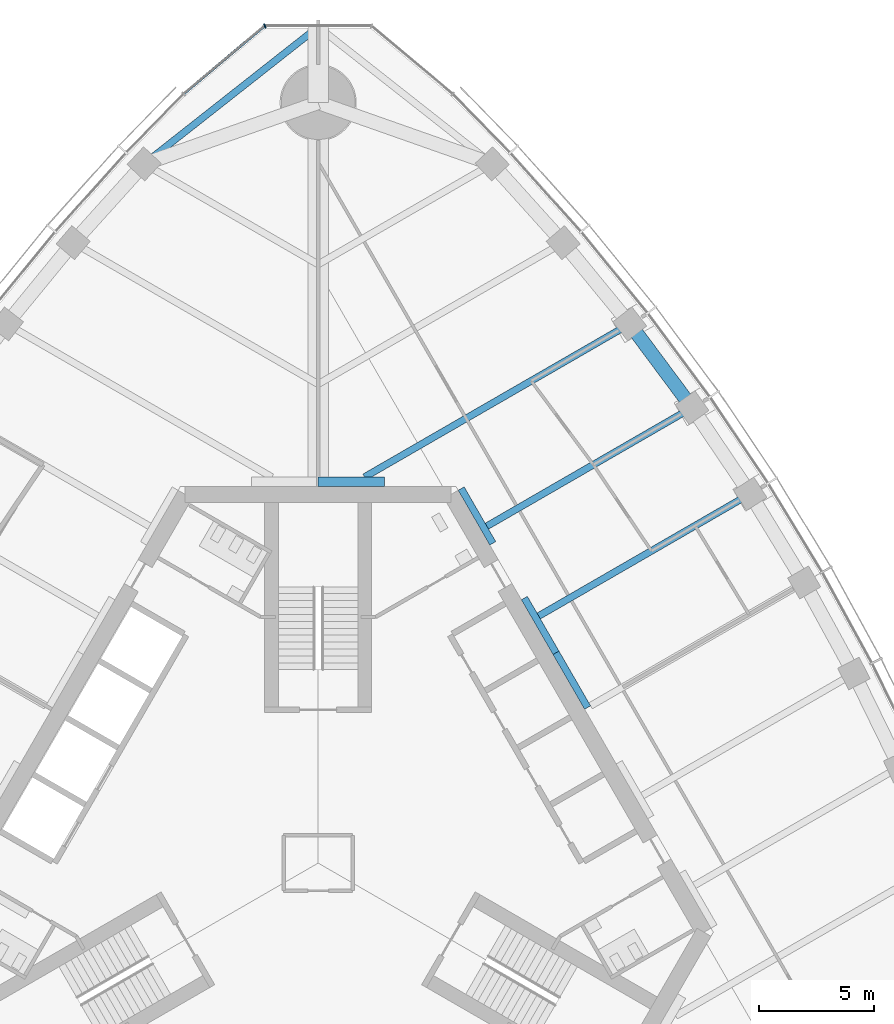
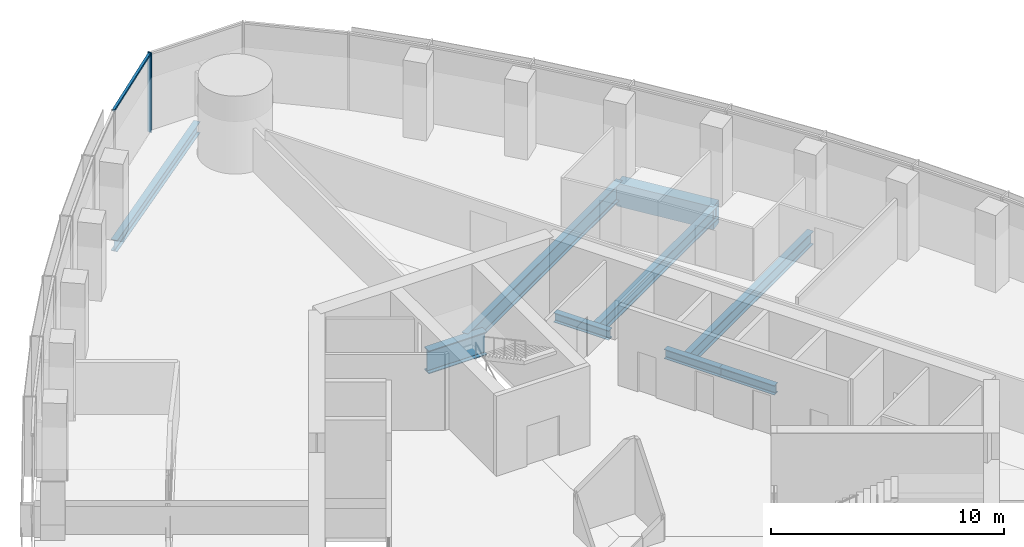
# One storey, part 6 of 19: 9 beams, 2 members, 1 element without a shape of its own.
"""IFC4 building model written with IfcOpenShell, lengths in metres."""

from ifc_helpers import new_model, si_unit, direction, frame, origin, origin_2d, place, context, subcontext, project, spatial, rectangle, i_section, extrude, material, material_profile, profile_set, type_object, element, aggregate, save


model = new_model("IFC4")

# Units and contexts
model_context = context("Model", 3, precision=1e-05, world=origin(), true_north=direction((0.0, 1.0)))
body_context = subcontext(model_context, "Body", "Model", "MODEL_VIEW")
ifc_project = project(units=[si_unit("LENGTHUNIT", "METRE"), si_unit("AREAUNIT", "SQUARE_METRE"), si_unit("VOLUMEUNIT", "CUBIC_METRE"), si_unit("PLANEANGLEUNIT", "RADIAN"), si_unit("MASSUNIT", "GRAM", prefix="KILO")], contexts=[model_context])

# Site, building, storey
site_placement = place(None, origin())
site = spatial("IfcSite", under=ifc_project, at=site_placement, CompositionType="ELEMENT")
building_placement = place(site_placement, origin())
building = spatial("IfcBuilding", under=site, at=building_placement, Name="Trefoil Bronze Tower", CompositionType="ELEMENT")
storey_placement = place(building_placement, frame((0.0, 0.0, 227.5)))
storey = spatial("IfcBuildingStorey", under=building, at=storey_placement, Name="L52", CompositionType="ELEMENT", Elevation=227.5)

# Curtain wall, members
ifc_material_1 = material(Name="Tinted solar-control glass", Category="glass")
curtain_wall_type = type_object("IfcCurtainWallType", Name="Bronze rounded corner curtain wall", PredefinedType="USERDEFINED", material=ifc_material_1)
curtain_wall_placement = place(storey_placement, origin())
curtain_wall = element("IfcCurtainWall", 1, at=curtain_wall_placement, inside=storey, type_object=curtain_wall_type, Name="CW-B L52 K2", ObjectType="CURTAIN WALL", PredefinedType="USERDEFINED")
ifc_material_2 = material(Name="Bronze-finish aluminium", Category="aluminium")
ifc_material_profile_1 = material_profile(ifc_material_2, rectangle(XDim=0.199951171875, YDim=0.06005859375, at=origin_2d()), Name="CW-B mullion")
ifc_profile_set_1 = profile_set([ifc_material_profile_1], Name="Bronze-finish aluminium")
member_type_1 = type_object("IfcMemberType", Name="Bronze rounded corner curtain wall mullion", PredefinedType="MULLION", material=ifc_profile_set_1)
member_1_placement = place(storey_placement, frame((-2.314453125, 36.326416015625, 0.0), z_axis=(0.0, 0.0, 1.0), x_axis=(0.342020143326, -0.939692620786, 0.0)))
member_1 = element("IfcMember", 2, at=member_1_placement, type_object=member_type_1, Name="CW-B L52 K2 mullion 3", PredefinedType="MULLION", context=body_context, shape_type="SweptSolid", body=[
    extrude(rectangle(XDim=0.199951171875, YDim=0.06005859375, at=origin_2d()), origin(), (0.0, 0.0, 1.0), 4.179931640625),
])
ifc_material_3 = material(Name="Bronze-finish aluminium", Category="aluminium")
ifc_material_profile_2 = material_profile(ifc_material_3, rectangle(XDim=0.1201171875, YDim=0.10009765625, at=origin_2d()), Name="CW-B transom")
ifc_profile_set_2 = profile_set([ifc_material_profile_2], Name="Bronze-finish aluminium")
member_type_2 = type_object("IfcMemberType", Name="Bronze rounded corner curtain wall transom", PredefinedType="USERDEFINED", material=ifc_profile_set_2)
member_2_placement = place(storey_placement, frame((-2.367431640625, 36.289794921875, 4.1298828125), z_axis=(-0.766046761698, -0.642784846501, 0.0), x_axis=(0.642784846501, -0.766046761698, 0.0)))
member_2 = element("IfcMember", 3, at=member_2_placement, type_object=member_type_2, Name="CW-B L52 K2 transom 3", ObjectType="TRANSOM", PredefinedType="USERDEFINED", context=body_context, shape_type="SweptSolid", body=[
    extrude(rectangle(XDim=0.1201171875, YDim=0.10009765625, at=origin_2d()), origin(), (0.0, 0.0, 1.0), 4.5),
])
aggregate(curtain_wall, [member_1, member_2])

# Beams
ifc_material_4 = material(Name="Steel C355", Category="steel")
ifc_material_profile_3 = material_profile(ifc_material_4, i_section(OverallWidth=0.300048828125, OverallDepth=0.5, WebThickness=0.014404296875, FlangeThickness=0.028076171875, FilletRadius=0.027099609375, at=origin_2d()), Name="HEB 500")
ifc_profile_set_3 = profile_set([ifc_material_profile_3], Name="Steel C355")
beam_type_1 = type_object("IfcBeamType", Name="Core seat beam HEB 500", PredefinedType="BEAM", material=ifc_profile_set_3)
for number, where, z_axis, x_axis, name in (
    (4, (11.69140625, 6.75, -0.449951171875), (-0.500035825175, 0.866004719122, 0.0), (-0.866004719122, -0.500035825175, 0.0), "Core seat beam F2/+0 L52"),
    (5, (10.320068359375, 9.125, -0.449951171875), (-0.499969057507, 0.866043267704, 0.0), (-0.866043267704, -0.499969057507, 0.0), "Core seat beam F2/+1 L52"),
    (6, (7.57763671875, 13.875, -0.449951171875), (-0.499969057507, 0.866043267704, 0.0), (-0.866043267704, -0.499969057507, 0.0), "Core seat beam F2/+2 L52"),
):
    element("IfcBeam", number, at=place(storey_placement, frame(where, z_axis=z_axis, x_axis=x_axis)), inside=storey, type_object=beam_type_1, Name=name, PredefinedType="BEAM", context=body_context, shape_type="SweptSolid", body=[
        extrude(i_section(OverallWidth=0.300048828125, OverallDepth=0.5, WebThickness=0.014404296875, FlangeThickness=0.028076171875, FilletRadius=0.027099609375, at=origin_2d()), origin(), (0.0, 0.0, 1.0), 2.742431640625),
    ])
ifc_material_5 = material(Name="Steel C355", Category="steel")
ifc_material_profile_4 = material_profile(ifc_material_5, i_section(OverallWidth=0.39990234375, OverallDepth=1.199951171875, WebThickness=0.02001953125, FlangeThickness=0.0400390625, FilletRadius=0.010009765625, at=origin_2d()), Name="WPG 1200")
ifc_profile_set_4 = profile_set([ifc_material_profile_4], Name="Steel C355")
beam_type_2 = type_object("IfcBeamType", Name="Core seat beam WPG 1200", PredefinedType="BEAM", material=ifc_profile_set_4)
beam_1_placement = place(storey_placement, frame((2.88671875, 16.550048828125, -0.800048828125), z_axis=(-1.0, 0.0, 0.0), x_axis=(0.0, -1.0, 0.0)))
element("IfcBeam", 7, at=beam_1_placement, inside=storey, type_object=beam_type_2, Name="Core seat beam F2/+3 L52", PredefinedType="BEAM", context=body_context, shape_type="SweptSolid", body=[
    extrude(i_section(OverallWidth=0.39990234375, OverallDepth=1.199951171875, WebThickness=0.02001953125, FlangeThickness=0.0400390625, FilletRadius=0.010009765625, at=origin_2d()), origin(), (0.0, 0.0, 1.0), 2.88671875),
])
ifc_material_6 = material(Name="Steel C355", Category="steel")
ifc_material_profile_5 = material_profile(ifc_material_6, i_section(OverallWidth=0.300048828125, OverallDepth=0.60009765625, WebThickness=0.015380859375, FlangeThickness=0.030029296875, FilletRadius=0.027099609375, at=origin_2d()), Name="HEB 600")
ifc_profile_set_5 = profile_set([ifc_material_profile_5], Name="Steel C355")
beam_type_3 = type_object("IfcBeamType", Name="Corner edge beam HEB 600", PredefinedType="BEAM", material=ifc_profile_set_5)
beam_2_placement = place(storey_placement, frame((-7.552001953125, 30.3408203125, -0.5), z_axis=(0.785805912008, 0.618473175371, 0.0), x_axis=(-0.618473175371, 0.785805912008, 0.0)))
element("IfcBeam", 8, at=beam_2_placement, inside=storey, type_object=beam_type_3, Name="Corner edge beam F3B L52", PredefinedType="BEAM", context=body_context, shape_type="SweptSolid", body=[
    extrude(i_section(OverallWidth=0.300048828125, OverallDepth=0.60009765625, WebThickness=0.015380859375, FlangeThickness=0.030029296875, FilletRadius=0.027099609375, at=origin_2d()), origin(), (0.0, 0.0, 1.0), 9.610595703125),
])
ifc_material_7 = material(Name="Steel C355", Category="steel")
ifc_material_profile_6 = material_profile(ifc_material_7, i_section(OverallWidth=0.300048828125, OverallDepth=0.699951171875, WebThickness=0.01708984375, FlangeThickness=0.031982421875, FilletRadius=0.027099609375, at=origin_2d()), Name="HEB 700")
ifc_profile_set_6 = profile_set([ifc_material_profile_6], Name="Steel C355")
beam_type_4 = type_object("IfcBeamType", Name="Floor beam HEB 700", PredefinedType="BEAM", material=ifc_profile_set_6)
beam_3_placement = place(storey_placement, frame((18.748046875, 16.020263671875, -0.550048828125), z_axis=(-0.86602981261, -0.499992363612, 0.0), x_axis=(0.499992363612, -0.86602981261, 0.0)))
element("IfcBeam", 9, at=beam_3_placement, inside=storey, type_object=beam_type_4, Name="Floor beam F2/+1 L52", PredefinedType="BEAM", context=body_context, shape_type="SweptSolid", body=[
    extrude(i_section(OverallWidth=0.300048828125, OverallDepth=0.699951171875, WebThickness=0.01708984375, FlangeThickness=0.031982421875, FilletRadius=0.027099609375, at=origin_2d()), origin(), (0.0, 0.0, 1.0), 10.596435546875),
])
beam_4_placement = place(storey_placement, frame((16.2265625, 19.7607421875, -0.550048828125), z_axis=(-0.866019527493, -0.500010177898, 0.0), x_axis=(0.500010177898, -0.866019527493, 0.0)))
element("IfcBeam", 10, at=beam_4_placement, inside=storey, type_object=beam_type_4, Name="Floor beam F2/+2 L52", PredefinedType="BEAM", context=body_context, shape_type="SweptSolid", body=[
    extrude(i_section(OverallWidth=0.300048828125, OverallDepth=0.699951171875, WebThickness=0.01708984375, FlangeThickness=0.031982421875, FilletRadius=0.027099609375, at=origin_2d()), origin(), (0.0, 0.0, 1.0), 10.282958984375),
])
ifc_material_8 = material(Name="Steel C355", Category="steel")
ifc_material_profile_7 = material_profile(ifc_material_8, i_section(OverallWidth=0.300048828125, OverallDepth=0.89990234375, WebThickness=0.0185546875, FlangeThickness=0.034912109375, FilletRadius=0.030029296875, at=origin_2d()), Name="HEB 900")
ifc_profile_set_7 = profile_set([ifc_material_profile_7], Name="Steel C355")
beam_type_5 = type_object("IfcBeamType", Name="Floor beam HEB 900", PredefinedType="BEAM", material=ifc_profile_set_7)
beam_5_placement = place(storey_placement, frame((13.522216796875, 23.3955078125, -0.64990234375), z_axis=(-0.866023461342, -0.500003364394, 0.0), x_axis=(0.500003364394, -0.866023461342, 0.0)))
element("IfcBeam", 11, at=beam_5_placement, inside=storey, type_object=beam_type_5, Name="Floor beam F2/+3 L52", PredefinedType="BEAM", context=body_context, shape_type="SweptSolid", body=[
    extrude(i_section(OverallWidth=0.300048828125, OverallDepth=0.89990234375, WebThickness=0.0185546875, FlangeThickness=0.034912109375, FilletRadius=0.030029296875, at=origin_2d()), origin(), (0.0, 0.0, 1.0), 13.291015625),
])
ifc_material_9 = material(Name="Concrete B80", Category="concrete")
ifc_material_profile_8 = material_profile(ifc_material_9, rectangle(XDim=0.60009765625, YDim=1.199951171875, at=origin_2d()), Name="RC 600x1200")
ifc_profile_set_8 = profile_set([ifc_material_profile_8], Name="Concrete B80")
beam_type_6 = type_object("IfcBeamType", Name="Spandrel beam RC 600x1200", PredefinedType="SPANDREL", material=ifc_profile_set_8)
beam_6_placement = place(storey_placement, frame((16.2265625, 19.7607421875, -0.800048828125), z_axis=(-0.596926078257, 0.802296240236, 0.0), x_axis=(-0.802296240236, -0.596926078257, 0.0)))
element("IfcBeam", 12, at=beam_6_placement, inside=storey, type_object=beam_type_6, Name="Spandrel F2.9 L52", PredefinedType="SPANDREL", context=body_context, shape_type="SweptSolid", body=[
    extrude(rectangle(XDim=0.60009765625, YDim=1.199951171875, at=origin_2d()), origin(), (0.0, 0.0, 1.0), 4.530517578125),
])

save(model, "model.ifc")
